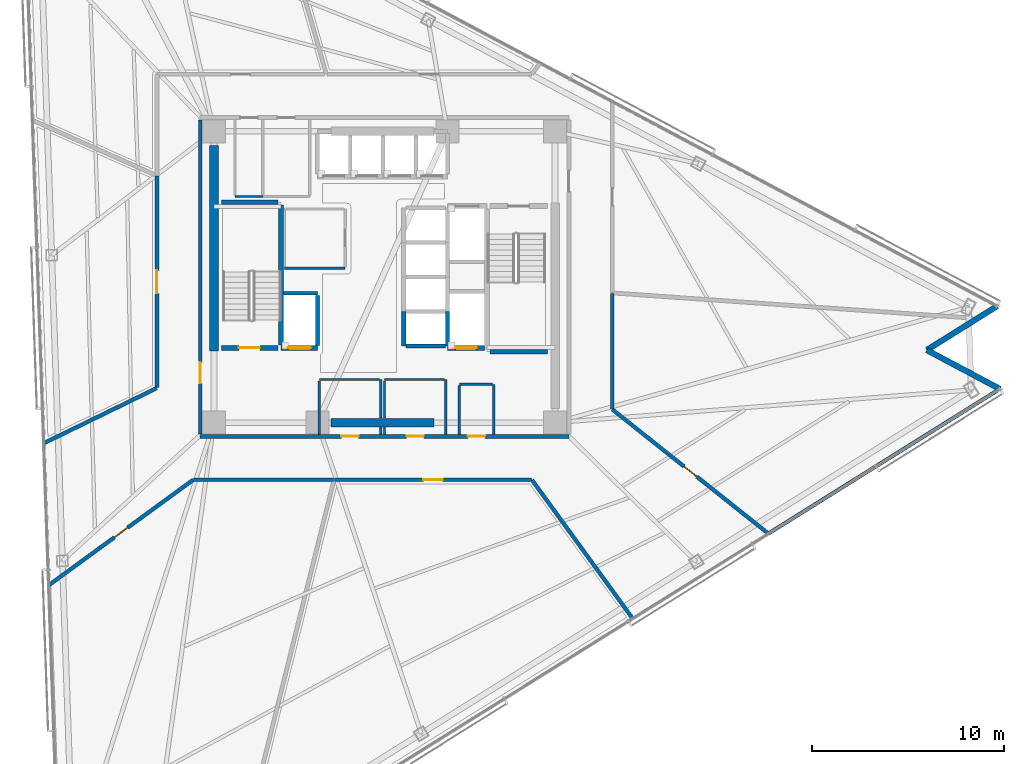
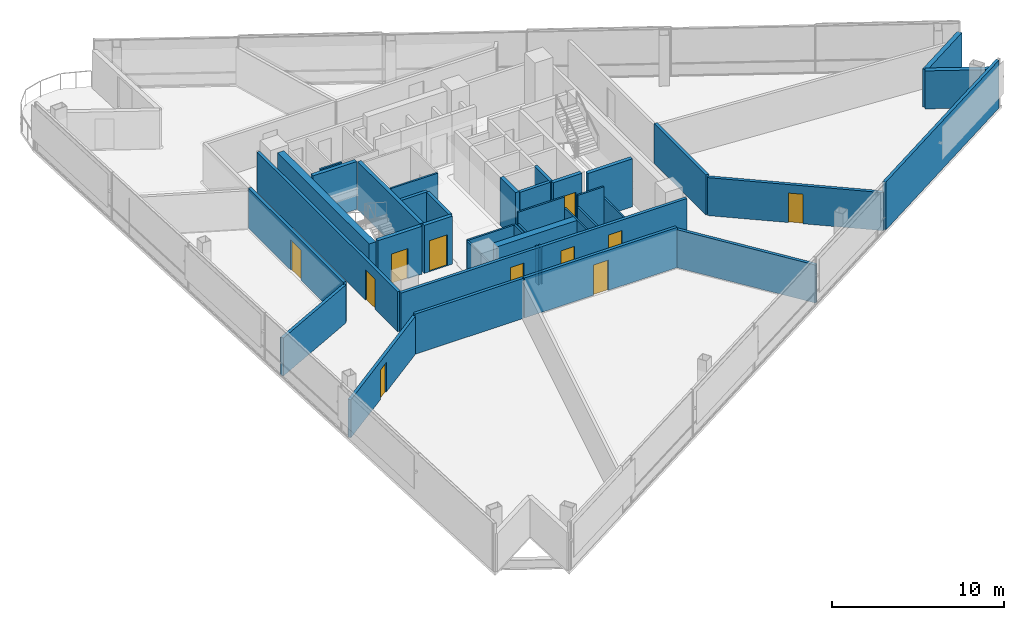
# One storey, part 12 of 21: 39 walls, 11 doors, 11 openings.
"""IFC4 building model written with IfcOpenShell, lengths in metres."""

from ifc_helpers import new_model, si_unit, direction, frame, frame_2d, origin, place, context, subcontext, project, spatial, rectangle, extrude, material, layer, layer_set, type_object, element, fill, save


model = new_model("IFC4")

# Units and contexts
model_context = context("Model", 3, precision=1e-05, world=origin(), true_north=direction((0.0, 1.0)))
body_context = subcontext(model_context, "Body", "Model", "MODEL_VIEW")
ifc_project = project(units=[si_unit("LENGTHUNIT", "METRE"), si_unit("AREAUNIT", "SQUARE_METRE"), si_unit("VOLUMEUNIT", "CUBIC_METRE"), si_unit("PLANEANGLEUNIT", "RADIAN"), si_unit("MASSUNIT", "GRAM", prefix="KILO")], contexts=[model_context])

# Site, building, storey
site_placement = place(None, origin())
site = spatial("IfcSite", under=ifc_project, at=site_placement, CompositionType="ELEMENT")
building_placement = place(site_placement, origin())
building = spatial("IfcBuilding", under=site, at=building_placement, Name="Tharavind Bronze Gate", CompositionType="ELEMENT")
storey_placement = place(building_placement, frame((0.0, 0.0, 142.39990234375)))
storey = spatial("IfcBuildingStorey", under=building, at=storey_placement, Name="L36", CompositionType="ELEMENT", Elevation=142.39990234375)

# Walls
ifc_material_1 = material(Name="Concrete C40/50", Category="concrete")
ifc_layer_1 = layer(ifc_material_1, 0.300048828125)
ifc_layer_set_1 = layer_set([ifc_layer_1], Name="Concrete C40/50")
wall_type_1 = type_object("IfcWallType", Name="EXTERIOR SPANDREL WALL 300", PredefinedType="STANDARD", material=ifc_layer_set_1)
wall_1_placement = place(storey_placement, frame((32.114501953125, -5.83984375, 0.0), z_axis=(0.0, 0.0, 1.0), x_axis=(-0.882945167019, 0.469476125099, 0.0)))
element("IfcWall", 1, at=wall_1_placement, inside=storey, type_object=wall_type_1, Name="L36 notch cheek wall 3A", PredefinedType="STANDARD", context=body_context, shape_type="SweptSolid", body=[
    extrude(rectangle(XDim=4.31982421875, YDim=0.300048828125, at=frame_2d((2.159912109375, 0.0))), origin(), (0.0, 0.0, 1.0), 2.705078125),
])
wall_2_placement = place(storey_placement, frame((28.30029296875, -3.811767578125, 0.0), z_axis=(0.0, 0.0, 1.0), x_axis=(0.848042749904, 0.529927819929, 0.0)))
element("IfcWall", 2, at=wall_2_placement, inside=storey, type_object=wall_type_1, Name="L36 notch cheek wall 3B", PredefinedType="STANDARD", context=body_context, shape_type="SweptSolid", body=[
    extrude(rectangle(XDim=4.320068359375, YDim=0.300048828125, at=frame_2d((2.16015625, 0.0))), origin(), (0.0, 0.0, 1.0), 2.705078125),
])

# Wall, openings, doors
ifc_material_2 = material(Name="Aerated Concrete Block", Category="concrete")
ifc_layer_2 = layer(ifc_material_2, 0.199951171875)
ifc_layer_set_2 = layer_set([ifc_layer_2], Name="Aerated Concrete Block")
wall_type_2 = type_object("IfcWallType", Name="FIRE RATED PARTITION 200", PredefinedType="PARTITIONING", material=ifc_layer_set_2)
wall_3_placement = place(storey_placement, frame((-9.6201171875, -8.320068359375, 0.0), z_axis=(0.0, 0.0, 1.0), x_axis=(1.0, 0.0, 0.0)))
wall_3 = element("IfcWall", 3, at=wall_3_placement, inside=storey, type_object=wall_type_2, Name="L36 south core corridor wall", PredefinedType="PARTITIONING", context=body_context, shape_type="SweptSolid", body=[
    extrude(rectangle(XDim=19.240234375, YDim=0.199951171875, at=frame_2d((9.6201171875, 0.0))), origin(), (0.0, 0.0, 1.0), 2.85498046875),
])
opening_1_placement = place(wall_3_placement, frame((7.3701171875, 0.0, 0.0)))
opening_1 = element("IfcOpeningElement", 4, at=opening_1_placement, cuts=wall_3, Name="Opening ID07", PredefinedType="OPENING", context=body_context, shape_type="SweptSolid", body=[
    extrude(rectangle(XDim=0.89990234375, YDim=2.10009765625, at=frame_2d((0.449951171875, 1.050048828125))), frame((0.0, 0.11009765625, 0.0), z_axis=(0.0, -1.0, 0.0), x_axis=(1.0, 0.0, 0.0)), (0.0, 0.0, 1.0), 0.219951171875),
])
opening_2_placement = place(wall_3_placement, frame((10.77001953125, 0.0, 0.0)))
opening_2 = element("IfcOpeningElement", 5, at=opening_2_placement, cuts=wall_3, Name="Opening ID07", PredefinedType="OPENING", context=body_context, shape_type="SweptSolid", body=[
    extrude(rectangle(XDim=0.89990234375, YDim=2.10009765625, at=frame_2d((0.449951171875, 1.050048828125))), frame((0.0, 0.11009765625, 0.0), z_axis=(0.0, -1.0, 0.0), x_axis=(1.0, 0.0, 0.0)), (0.0, 0.0, 1.0), 0.219951171875),
])
opening_3_placement = place(wall_3_placement, frame((13.969970703125, 0.0, 0.0)))
opening_3 = element("IfcOpeningElement", 6, at=opening_3_placement, cuts=wall_3, Name="Opening ID07", PredefinedType="OPENING", context=body_context, shape_type="SweptSolid", body=[
    extrude(rectangle(XDim=0.89990234375, YDim=2.10009765625, at=frame_2d((0.449951171875, 1.050048828125))), frame((0.0, 0.11009765625, 0.0), z_axis=(0.0, -1.0, 0.0), x_axis=(1.0, 0.0, 0.0)), (0.0, 0.0, 1.0), 0.219951171875),
])
ifc_material_3 = material(Name="Galvanised Fire Steel", Category="steel")
door_type_1 = type_object("IfcDoorType", Name="PLANT AND RISER FIRE DOOR 900X2100", OperationType="SINGLE_SWING_LEFT", PredefinedType="DOOR", material=ifc_material_3)
door_1_placement = place(opening_1_placement, frame((0.89990234375, 0.0, 0.0), z_axis=(0.0, 0.0, 1.0), x_axis=(-1.0, 0.0, 0.0)))
door_1 = element("IfcDoor", 7, at=door_1_placement, inside=storey, type_object=door_type_1, Name="L36 Core Archive Store fire door", OperationType="SINGLE_SWING_LEFT", OverallHeight=2.10009765625, OverallWidth=0.89990234375, PredefinedType="DOOR", context=body_context, shape_type="SweptSolid", body=[
    extrude(rectangle(XDim=0.89990234375, YDim=2.10009765625, at=frame_2d((0.449951171875, 1.050048828125))), frame((0.0, 0.02490234375, 0.0), z_axis=(0.0, -1.0, 0.0), x_axis=(1.0, 0.0, 0.0)), (0.0, 0.0, 1.0), 0.050048828125),
])
fill(opening_1, door_1)
door_2_placement = place(opening_2_placement, frame((0.89990234375, 0.0, 0.0), z_axis=(0.0, 0.0, 1.0), x_axis=(-1.0, 0.0, 0.0)))
door_2 = element("IfcDoor", 8, at=door_2_placement, inside=storey, type_object=door_type_1, Name="L36 Core Server Room fire door", OperationType="SINGLE_SWING_LEFT", OverallHeight=2.10009765625, OverallWidth=0.89990234375, PredefinedType="DOOR", context=body_context, shape_type="SweptSolid", body=[
    extrude(rectangle(XDim=0.89990234375, YDim=2.10009765625, at=frame_2d((0.449951171875, 1.050048828125))), frame((0.0, 0.02490234375, 0.0), z_axis=(0.0, -1.0, 0.0), x_axis=(1.0, 0.0, 0.0)), (0.0, 0.0, 1.0), 0.050048828125),
])
fill(opening_2, door_2)
door_3_placement = place(opening_3_placement, frame((0.89990234375, 0.0, 0.0), z_axis=(0.0, 0.0, 1.0), x_axis=(-1.0, 0.0, 0.0)))
door_3 = element("IfcDoor", 9, at=door_3_placement, inside=storey, type_object=door_type_1, Name="L36 Janitor Store Cupboard fire door", OperationType="SINGLE_SWING_LEFT", OverallHeight=2.10009765625, OverallWidth=0.89990234375, PredefinedType="DOOR", context=body_context, shape_type="SweptSolid", body=[
    extrude(rectangle(XDim=0.89990234375, YDim=2.10009765625, at=frame_2d((0.449951171875, 1.050048828125))), frame((0.0, 0.02490234375, 0.0), z_axis=(0.0, -1.0, 0.0), x_axis=(1.0, 0.0, 0.0)), (0.0, 0.0, 1.0), 0.050048828125),
])
fill(opening_3, door_3)

# Wall, opening, door
wall_4_placement = place(storey_placement, frame((-9.6201171875, 8.199951171875, 0.0), z_axis=(0.0, 0.0, 1.0), x_axis=(0.0, -1.0, 0.0)))
wall_4 = element("IfcWall", 10, at=wall_4_placement, inside=storey, type_object=wall_type_2, Name="L36 west core corridor wall", PredefinedType="PARTITIONING", context=body_context, shape_type="SweptSolid", body=[
    extrude(rectangle(XDim=16.39990234375, YDim=0.199951171875, at=frame_2d((8.199951171875, 0.0))), origin(), (0.0, 0.0, 1.0), 2.85498046875),
])
opening_4_placement = place(wall_4_placement, frame((12.64990234375, 0.0, 0.0)))
opening_4 = element("IfcOpeningElement", 11, at=opening_4_placement, cuts=wall_4, Name="Opening ID01", PredefinedType="OPENING", context=body_context, shape_type="SweptSolid", body=[
    extrude(rectangle(XDim=1.10009765625, YDim=2.14990234375, at=frame_2d((0.550048828125, 1.074951171875))), frame((0.0, 0.11009765625, 0.0), z_axis=(0.0, -1.0, 0.0), x_axis=(1.0, 0.0, 0.0)), (0.0, 0.0, 1.0), 0.219951171875),
])
ifc_material_4 = material(Name="Fire-Rated Steel", Category="steel")
door_type_2 = type_object("IfcDoorType", Name="STAIR CORE FIRE DOOR 1100X2150", OperationType="SINGLE_SWING_LEFT", PredefinedType="DOOR", material=ifc_material_4)
door_4_placement = place(opening_4_placement, frame((1.10009765625, 0.0, 0.0), z_axis=(0.0, 0.0, 1.0), x_axis=(-1.0, 0.0, 0.0)))
door_4 = element("IfcDoor", 12, at=door_4_placement, inside=storey, type_object=door_type_2, Name="L36 south west stair lobby fire door", OperationType="SINGLE_SWING_LEFT", OverallHeight=2.14990234375, OverallWidth=1.10009765625, PredefinedType="DOOR", context=body_context, shape_type="SweptSolid", body=[
    extrude(rectangle(XDim=1.10009765625, YDim=2.14990234375, at=frame_2d((0.550048828125, 1.074951171875))), frame((0.0, 0.02490234375, 0.0), z_axis=(0.0, -1.0, 0.0), x_axis=(1.0, 0.0, 0.0)), (0.0, 0.0, 1.0), 0.050048828125),
])
fill(opening_4, door_4)

wall_5_placement = place(storey_placement, frame((-17.51708984375, -16.080322265625, 0.0), z_axis=(0.0, 0.0, 1.0), x_axis=(0.807836100195, 0.58940718966, 0.0)))
wall_5 = element("IfcWall", 13, at=wall_5_placement, inside=storey, type_object=wall_type_2, Name="L36 Public Restrooms Block partition", PredefinedType="PARTITIONING", context=body_context, shape_type="SweptSolid", body=[
    extrude(rectangle(XDim=9.323974609375, YDim=0.199951171875, at=frame_2d((4.662109375, 0.0))), origin(), (0.0, 0.0, 1.0), 2.705078125),
])
opening_5_placement = place(wall_5_placement, frame((4.237060546875, 0.0, 0.0)))
opening_5 = element("IfcOpeningElement", 14, at=opening_5_placement, cuts=wall_5, Name="Opening ID06", PredefinedType="OPENING", context=body_context, shape_type="SweptSolid", body=[
    extrude(rectangle(XDim=0.85009765625, YDim=2.10009765625, at=frame_2d((0.425048828125, 1.050048828125))), frame((0.0, 0.11009765625, 0.0), z_axis=(0.0, -1.0, 0.0), x_axis=(1.0, 0.0, 0.0)), (0.0, 0.0, 1.0), 0.219951171875),
])
ifc_material_5 = material(Name="Moisture-Resistant Timber", Category="wood")
door_type_3 = type_object("IfcDoorType", Name="BATHROOM PRIVACY DOOR 850X2100", OperationType="SINGLE_SWING_RIGHT", PredefinedType="DOOR", material=ifc_material_5)
door_5_placement = place(opening_5_placement, origin())
door_5 = element("IfcDoor", 15, at=door_5_placement, inside=storey, type_object=door_type_3, Name="L36 Public Restrooms Block door", OperationType="SINGLE_SWING_RIGHT", OverallHeight=2.10009765625, OverallWidth=0.85009765625, PredefinedType="DOOR", context=body_context, shape_type="SweptSolid", body=[
    extrude(rectangle(XDim=0.85009765625, YDim=2.10009765625, at=frame_2d((0.425048828125, 1.050048828125))), frame((0.0, 0.02490234375, 0.0), z_axis=(0.0, -1.0, 0.0), x_axis=(1.0, 0.0, 0.0)), (0.0, 0.0, 1.0), 0.050048828125),
])
fill(opening_5, door_5)

# Wall
wall_6_placement = place(storey_placement, frame((-9.969970703125, -10.580078125, 0.0), z_axis=(0.0, 0.0, 1.0), x_axis=(1.0, 0.0, 0.0)))
element("IfcWall", 16, at=wall_6_placement, inside=storey, type_object=wall_type_2, Name="L36 Public Restrooms Block partition", PredefinedType="PARTITIONING", context=body_context, shape_type="SweptSolid", body=[
    extrude(rectangle(XDim=7.300048828125, YDim=0.199951171875, at=frame_2d((3.64990234375, 0.0))), origin(), (0.0, 0.0, 1.0), 2.85498046875),
])

# Wall, opening, door
wall_7_placement = place(storey_placement, frame((20.030029296875, -13.39111328125, 0.0), z_axis=(0.0, 0.0, 1.0), x_axis=(-0.782379652936, 0.622801797261, 0.0)))
wall_7 = element("IfcWall", 17, at=wall_7_placement, inside=storey, type_object=wall_type_2, Name="L36 Public Restrooms Block partition", PredefinedType="PARTITIONING", context=body_context, shape_type="SweptSolid", body=[
    extrude(rectangle(XDim=10.405029296875, YDim=0.199951171875, at=frame_2d((5.20263671875, 0.0))), origin(), (0.0, 0.0, 1.0), 2.705078125),
])
opening_6_placement = place(wall_7_placement, frame((4.777099609375, 0.0, 0.0)))
opening_6 = element("IfcOpeningElement", 18, at=opening_6_placement, cuts=wall_7, Name="Opening ID06", PredefinedType="OPENING", context=body_context, shape_type="SweptSolid", body=[
    extrude(rectangle(XDim=0.85009765625, YDim=2.10009765625, at=frame_2d((0.425048828125, 1.050048828125))), frame((0.0, 0.11009765625, 0.0), z_axis=(0.0, -1.0, 0.0), x_axis=(1.0, 0.0, 0.0)), (0.0, 0.0, 1.0), 0.219951171875),
])
door_6_placement = place(opening_6_placement, origin())
door_6 = element("IfcDoor", 19, at=door_6_placement, inside=storey, type_object=door_type_3, Name="L36 Public Restrooms Block door", OperationType="SINGLE_SWING_RIGHT", OverallHeight=2.10009765625, OverallWidth=0.85009765625, PredefinedType="DOOR", context=body_context, shape_type="SweptSolid", body=[
    extrude(rectangle(XDim=0.85009765625, YDim=2.10009765625, at=frame_2d((0.425048828125, 1.050048828125))), frame((0.0, 0.02490234375, 0.0), z_axis=(0.0, -1.0, 0.0), x_axis=(1.0, 0.0, 0.0)), (0.0, 0.0, 1.0), 0.050048828125),
])
fill(opening_6, door_6)

# Walls
wall_8_placement = place(storey_placement, frame((11.8798828125, -6.891357421875, 0.0), z_axis=(0.0, 0.0, 1.0), x_axis=(0.0, 1.0, 0.0)))
element("IfcWall", 20, at=wall_8_placement, inside=storey, type_object=wall_type_2, Name="L36 Public Restrooms Block partition", PredefinedType="PARTITIONING", context=body_context, shape_type="SweptSolid", body=[
    extrude(rectangle(XDim=6.033935546875, YDim=0.199951171875, at=frame_2d((3.01708984375, 0.0))), origin(), (0.0, 0.0, 1.0), 2.85498046875),
])
wall_9_placement = place(storey_placement, frame((31.962890625, -5.934814453125, 0.0), z_axis=(0.0, 0.0, 1.0), x_axis=(-0.848057783803, -0.529903760442, 0.0)))
element("IfcWall", 21, at=wall_9_placement, inside=storey, type_object=wall_type_2, Name="L36 Public Restrooms Block partition", PredefinedType="PARTITIONING", context=body_context, shape_type="SweptSolid", body=[
    extrude(rectangle(XDim=14.06494140625, YDim=0.199951171875, at=frame_2d((7.032470703125, 0.0))), origin(), (0.0, 0.0, 1.0), 3.41015625),
])

# Wall, opening, door
wall_10_placement = place(storey_placement, frame((-11.8798828125, 5.273193359375, 0.0), z_axis=(0.0, 0.0, 1.0), x_axis=(0.0, -1.0, 0.0)))
wall_10 = element("IfcWall", 22, at=wall_10_placement, inside=storey, type_object=wall_type_2, Name="L36 Ethics Seminar Room partition", PredefinedType="PARTITIONING", context=body_context, shape_type="SweptSolid", body=[
    extrude(rectangle(XDim=11.0517578125, YDim=0.199951171875, at=frame_2d((5.52587890625, 0.0))), origin(), (0.0, 0.0, 1.0), 2.85498046875),
])
opening_7_placement = place(wall_10_placement, frame((4.926025390625, 0.0, 0.0)))
opening_7 = element("IfcOpeningElement", 23, at=opening_7_placement, cuts=wall_10, Name="Opening ID05", PredefinedType="OPENING", context=body_context, shape_type="SweptSolid", body=[
    extrude(rectangle(XDim=1.199951171875, YDim=2.14990234375, at=frame_2d((0.60009765625, 1.074951171875))), frame((0.0, 0.11009765625, 0.0), z_axis=(0.0, -1.0, 0.0), x_axis=(1.0, 0.0, 0.0)), (0.0, 0.0, 1.0), 0.219951171875),
])
ifc_material_6 = material(Name="Acoustic Laminated Glass", Category="glass")
door_type_4 = type_object("IfcDoorType", Name="MEETING ROOM GLAZED DOOR 1200X2150", OperationType="SINGLE_SWING_LEFT", PredefinedType="DOOR", material=ifc_material_6)
door_7_placement = place(opening_7_placement, origin())
door_7 = element("IfcDoor", 24, at=door_7_placement, inside=storey, type_object=door_type_4, Name="L36 Ethics Seminar Room door", OperationType="SINGLE_SWING_LEFT", OverallHeight=2.14990234375, OverallWidth=1.199951171875, PredefinedType="DOOR", context=body_context, shape_type="SweptSolid", body=[
    extrude(rectangle(XDim=1.199951171875, YDim=2.14990234375, at=frame_2d((0.60009765625, 1.074951171875))), frame((0.0, 0.02490234375, 0.0), z_axis=(0.0, -1.0, 0.0), x_axis=(1.0, 0.0, 0.0)), (0.0, 0.0, 1.0), 0.050048828125),
])
fill(opening_7, door_7)

# Wall
wall_11_placement = place(storey_placement, frame((-11.89404296875, -5.801025390625, 0.0), z_axis=(0.0, 0.0, 1.0), x_axis=(-0.89877884349, -0.438402315796, 0.0)))
element("IfcWall", 25, at=wall_11_placement, inside=storey, type_object=wall_type_2, Name="L36 Ethics Seminar Room partition", PredefinedType="PARTITIONING", context=body_context, shape_type="SweptSolid", body=[
    extrude(rectangle(XDim=6.5439453125, YDim=0.199951171875, at=frame_2d((3.27197265625, 0.0))), origin(), (0.0, 0.0, 1.0), 2.705078125),
])

# Wall, opening, door
wall_12_placement = place(storey_placement, frame((-2.618408203125, -10.580078125, 0.0), z_axis=(0.0, 0.0, 1.0), x_axis=(1.0, 0.0, 0.0)))
wall_12 = element("IfcWall", 26, at=wall_12_placement, inside=storey, type_object=wall_type_2, Name="L36 Clinical Data Office partition", PredefinedType="PARTITIONING", context=body_context, shape_type="SweptSolid", body=[
    extrude(rectangle(XDim=10.29248046875, YDim=0.199951171875, at=frame_2d((5.146240234375, 0.0))), origin(), (0.0, 0.0, 1.0), 2.85498046875),
])
opening_8_placement = place(wall_12_placement, frame((4.64599609375, 0.0, 0.0)))
opening_8 = element("IfcOpeningElement", 27, at=opening_8_placement, cuts=wall_12, Name="Opening ID04", PredefinedType="OPENING", context=body_context, shape_type="SweptSolid", body=[
    extrude(rectangle(XDim=1.0, YDim=2.14990234375, at=frame_2d((0.5, 1.074951171875))), frame((0.0, 0.11009765625, 0.0), z_axis=(0.0, -1.0, 0.0), x_axis=(1.0, 0.0, 0.0)), (0.0, 0.0, 1.0), 0.219951171875),
])
ifc_material_7 = material(Name="Bronze Framed Acoustic Timber", Category="wood")
door_type_5 = type_object("IfcDoorType", Name="OFFICE TENANCY DOOR 1000X2150", OperationType="SINGLE_SWING_RIGHT", PredefinedType="DOOR", material=ifc_material_7)
door_8_placement = place(opening_8_placement, origin())
door_8 = element("IfcDoor", 28, at=door_8_placement, inside=storey, type_object=door_type_5, Name="L36 Clinical Data Office door", OperationType="SINGLE_SWING_RIGHT", OverallHeight=2.14990234375, OverallWidth=1.0, PredefinedType="DOOR", context=body_context, shape_type="SweptSolid", body=[
    extrude(rectangle(XDim=1.0, YDim=2.14990234375, at=frame_2d((0.5, 1.074951171875))), frame((0.0, 0.02490234375, 0.0), z_axis=(0.0, -1.0, 0.0), x_axis=(1.0, 0.0, 0.0)), (0.0, 0.0, 1.0), 0.050048828125),
])
fill(opening_8, door_8)

# Walls
wall_13_placement = place(storey_placement, frame((7.6943359375, -10.59033203125, 0.0), z_axis=(0.0, 0.0, 1.0), x_axis=(0.587773963439, -0.809025196086, 0.0)))
element("IfcWall", 29, at=wall_13_placement, inside=storey, type_object=wall_type_2, Name="L36 Clinical Data Office partition", PredefinedType="PARTITIONING", context=body_context, shape_type="SweptSolid", body=[
    extrude(rectangle(XDim=8.906982421875, YDim=0.199951171875, at=frame_2d((4.45361328125, 0.0))), origin(), (0.0, 0.0, 1.0), 2.705078125),
])
ifc_material_8 = material(Name="Metal Stud Gypsum Partition", Category="gypsum")
ifc_layer_3 = layer(ifc_material_8, 0.1201171875)
ifc_layer_set_3 = layer_set([ifc_layer_3], Name="Metal Stud Gypsum Partition")
wall_type_3 = type_object("IfcWallType", Name="INTERIOR PARTITION WALL 120", PredefinedType="PARTITIONING", material=ifc_layer_set_3)
wall_14_placement = place(storey_placement, frame((-5.219970703125, 0.449951171875, 0.0), z_axis=(0.0, 0.0, 1.0), x_axis=(1.0, 0.0, 0.0)))
element("IfcWall", 30, at=wall_14_placement, inside=storey, type_object=wall_type_3, Name="L36 Electrical & Telecom Store partition 1", PredefinedType="PARTITIONING", context=body_context, shape_type="SweptSolid", body=[
    extrude(rectangle(XDim=3.169921875, YDim=0.1201171875, at=frame_2d((1.5849609375, 0.0))), origin(), (0.0, 0.0, 1.0), 3.41015625),
])
wall_15_placement = place(storey_placement, frame((-0.199951171875, -8.215087890625, 0.0), z_axis=(0.0, 0.0, 1.0), x_axis=(0.0, 1.0, 0.0)))
element("IfcWall", 31, at=wall_15_placement, inside=storey, type_object=wall_type_3, Name="L36 Core Archive Store partition 2", PredefinedType="PARTITIONING", context=body_context, shape_type="SweptSolid", body=[
    extrude(rectangle(XDim=0.385009765625, YDim=0.1201171875, at=frame_2d((0.1923828125, 0.0))), origin(), (0.0, 0.0, 1.0), 2.60498046875),
])
wall_16_placement = place(storey_placement, frame((-0.199951171875, -7.3701171875, 0.0), z_axis=(0.0, 0.0, 1.0), x_axis=(0.0, 1.0, 0.0)))
element("IfcWall", 32, at=wall_16_placement, inside=storey, type_object=wall_type_3, Name="L36 Core Archive Store partition 2", PredefinedType="PARTITIONING", context=body_context, shape_type="SweptSolid", body=[
    extrude(rectangle(XDim=2.02001953125, YDim=0.1201171875, at=frame_2d((1.010009765625, 0.0))), origin(), (0.0, 0.0, 1.0), 2.60498046875),
])
wall_17_placement = place(storey_placement, frame((-0.264892578125, -5.35009765625, 0.0), z_axis=(0.0, 0.0, 1.0), x_axis=(-1.0, 0.0, 0.0)))
element("IfcWall", 33, at=wall_17_placement, inside=storey, type_object=wall_type_3, Name="L36 Core Archive Store partition 3", PredefinedType="PARTITIONING", context=body_context, shape_type="SweptSolid", body=[
    extrude(rectangle(XDim=3.135009765625, YDim=0.1201171875, at=frame_2d((1.5673828125, 0.0))), origin(), (0.0, 0.0, 1.0), 2.60498046875),
])
wall_18_placement = place(storey_placement, frame((-3.39990234375, -5.4150390625, 0.0), z_axis=(0.0, 0.0, 1.0), x_axis=(0.0, -1.0, 0.0)))
element("IfcWall", 34, at=wall_18_placement, inside=storey, type_object=wall_type_3, Name="L36 Core Archive Store partition 4", PredefinedType="PARTITIONING", context=body_context, shape_type="SweptSolid", body=[
    extrude(rectangle(XDim=2.800048828125, YDim=0.1201171875, at=frame_2d((1.39990234375, 0.0))), origin(), (0.0, 0.0, 1.0), 2.60498046875),
])
wall_19_placement = place(storey_placement, frame((3.199951171875, -8.215087890625, 0.0), z_axis=(0.0, 0.0, 1.0), x_axis=(0.0, 1.0, 0.0)))
element("IfcWall", 35, at=wall_19_placement, inside=storey, type_object=wall_type_3, Name="L36 Core Server Room partition 2", PredefinedType="PARTITIONING", context=body_context, shape_type="SweptSolid", body=[
    extrude(rectangle(XDim=2.864990234375, YDim=0.1201171875, at=frame_2d((1.4326171875, 0.0))), origin(), (0.0, 0.0, 1.0), 2.60498046875),
])
wall_20_placement = place(storey_placement, frame((3.135009765625, -5.35009765625, 0.0), z_axis=(0.0, 0.0, 1.0), x_axis=(-1.0, 0.0, 0.0)))
element("IfcWall", 36, at=wall_20_placement, inside=storey, type_object=wall_type_3, Name="L36 Core Server Room partition 3", PredefinedType="PARTITIONING", context=body_context, shape_type="SweptSolid", body=[
    extrude(rectangle(XDim=3.135009765625, YDim=0.1201171875, at=frame_2d((1.5673828125, 0.0))), origin(), (0.0, 0.0, 1.0), 3.41015625),
])
wall_21_placement = place(storey_placement, frame((0.0, -5.4150390625, 0.0), z_axis=(0.0, 0.0, 1.0), x_axis=(0.0, -1.0, 0.0)))
element("IfcWall", 37, at=wall_21_placement, inside=storey, type_object=wall_type_3, Name="L36 Core Server Room partition 4", PredefinedType="PARTITIONING", context=body_context, shape_type="SweptSolid", body=[
    extrude(rectangle(XDim=1.955078125, YDim=0.1201171875, at=frame_2d((0.9775390625, 0.0))), origin(), (0.0, 0.0, 1.0), 2.60498046875),
])
wall_22_placement = place(storey_placement, frame((0.0, -7.830078125, 0.0), z_axis=(0.0, 0.0, 1.0), x_axis=(0.0, -1.0, 0.0)))
element("IfcWall", 38, at=wall_22_placement, inside=storey, type_object=wall_type_3, Name="L36 Core Server Room partition 4", PredefinedType="PARTITIONING", context=body_context, shape_type="SweptSolid", body=[
    extrude(rectangle(XDim=0.385009765625, YDim=0.1201171875, at=frame_2d((0.1923828125, 0.0))), origin(), (0.0, 0.0, 1.0), 2.60498046875),
])
wall_23_placement = place(storey_placement, frame((-7.800048828125, 4.199951171875, 0.0), z_axis=(0.0, 0.0, 1.0), x_axis=(1.0, 0.0, 0.0)))
element("IfcWall", 39, at=wall_23_placement, inside=storey, type_object=wall_type_3, Name="L36 Battery Backup Cupboard partition 1", PredefinedType="PARTITIONING", context=body_context, shape_type="SweptSolid", body=[
    extrude(rectangle(XDim=1.449951171875, YDim=0.1201171875, at=frame_2d((0.72509765625, 0.0))), origin(), (0.0, 0.0, 1.0), 3.41015625),
])
wall_24_placement = place(storey_placement, frame((5.699951171875, -8.215087890625, 0.0), z_axis=(0.0, 0.0, 1.0), x_axis=(0.0, 1.0, 0.0)))
element("IfcWall", 40, at=wall_24_placement, inside=storey, type_object=wall_type_3, Name="L36 Janitor Store Cupboard partition 2", PredefinedType="PARTITIONING", context=body_context, shape_type="SweptSolid", body=[
    extrude(rectangle(XDim=2.614990234375, YDim=0.1201171875, at=frame_2d((1.3076171875, 0.0))), origin(), (0.0, 0.0, 1.0), 2.60498046875),
])
wall_25_placement = place(storey_placement, frame((5.635009765625, -5.60009765625, 0.0), z_axis=(0.0, 0.0, 1.0), x_axis=(-1.0, 0.0, 0.0)))
element("IfcWall", 41, at=wall_25_placement, inside=storey, type_object=wall_type_3, Name="L36 Janitor Store Cupboard partition 3", PredefinedType="PARTITIONING", context=body_context, shape_type="SweptSolid", body=[
    extrude(rectangle(XDim=1.735107421875, YDim=0.1201171875, at=frame_2d((0.86767578125, 0.0))), origin(), (0.0, 0.0, 1.0), 3.41015625),
])
wall_26_placement = place(storey_placement, frame((3.89990234375, -5.6650390625, 0.0), z_axis=(0.0, 0.0, 1.0), x_axis=(0.0, -1.0, 0.0)))
element("IfcWall", 42, at=wall_26_placement, inside=storey, type_object=wall_type_3, Name="L36 Janitor Store Cupboard partition 4", PredefinedType="PARTITIONING", context=body_context, shape_type="SweptSolid", body=[
    extrude(rectangle(XDim=2.550048828125, YDim=0.1201171875, at=frame_2d((1.27490234375, 0.0))), origin(), (0.0, 0.0, 1.0), 2.60498046875),
])
ifc_material_9 = material(Name="Concrete C50/60", Category="concrete")
ifc_layer_4 = layer(ifc_material_9, 0.25)
ifc_layer_set_4 = layer_set([ifc_layer_4], Name="Concrete C50/60")
wall_type_4 = type_object("IfcWallType", Name="RC CORE SHEAR WALL 250", PredefinedType="SHEAR", material=ifc_layer_set_4)
wall_27_placement = place(storey_placement, frame((-5.39990234375, -3.550048828125, 0.0), z_axis=(0.0, 0.0, 1.0), x_axis=(0.0, 1.0, 0.0)))
element("IfcWall", 43, at=wall_27_placement, inside=storey, type_object=wall_type_4, Name="L36 ST1 shaft east wall", PredefinedType="SHEAR", context=body_context, shape_type="SweptSolid", body=[
    extrude(rectangle(XDim=7.300048828125, YDim=0.25, at=frame_2d((3.64990234375, 0.0))), origin(), (0.0, 0.0, 1.0), 3.41015625),
])

# Wall, opening, door
wall_28_placement = place(storey_placement, frame((-8.5, -3.699951171875, 0.0), z_axis=(0.0, 0.0, 1.0), x_axis=(1.0, 0.0, 0.0)))
wall_28 = element("IfcWall", 44, at=wall_28_placement, inside=storey, type_object=wall_type_4, Name="L36 ST1 shaft south wall", PredefinedType="SHEAR", context=body_context, shape_type="SweptSolid", body=[
    extrude(rectangle(XDim=2.949951171875, YDim=0.25, at=frame_2d((1.47509765625, 0.0))), origin(), (0.0, 0.0, 1.0), 3.41015625),
])
opening_9_placement = place(wall_28_placement, frame((0.89990234375, 0.0, 0.0)))
opening_9 = element("IfcOpeningElement", 45, at=opening_9_placement, cuts=wall_28, Name="Opening ID01", PredefinedType="OPENING", context=body_context, shape_type="SweptSolid", body=[
    extrude(rectangle(XDim=1.10009765625, YDim=2.14990234375, at=frame_2d((0.550048828125, 1.074951171875))), frame((0.0, 0.135, 0.0), z_axis=(0.0, -1.0, 0.0), x_axis=(1.0, 0.0, 0.0)), (0.0, 0.0, 1.0), 0.27),
])
door_9_placement = place(opening_9_placement, origin())
door_9 = element("IfcDoor", 46, at=door_9_placement, inside=storey, type_object=door_type_2, Name="L36 exit stair ST1 fire door", OperationType="SINGLE_SWING_LEFT", OverallHeight=2.14990234375, OverallWidth=1.10009765625, PredefinedType="DOOR", context=body_context, shape_type="SweptSolid", body=[
    extrude(rectangle(XDim=1.10009765625, YDim=2.14990234375, at=frame_2d((0.550048828125, 1.074951171875))), frame((0.0, 0.02490234375, 0.0), z_axis=(0.0, -1.0, 0.0), x_axis=(1.0, 0.0, 0.0)), (0.0, 0.0, 1.0), 0.050048828125),
])
fill(opening_9, door_9)

# Walls
wall_29_placement = place(storey_placement, frame((-8.5, 3.89990234375, 0.0), z_axis=(0.0, 0.0, 1.0), x_axis=(1.0, 0.0, 0.0)))
element("IfcWall", 47, at=wall_29_placement, inside=storey, type_object=wall_type_4, Name="L36 ST1 shaft north wall", PredefinedType="SHEAR", context=body_context, shape_type="SweptSolid", body=[
    extrude(rectangle(XDim=2.949951171875, YDim=0.25, at=frame_2d((1.47509765625, 0.0))), origin(), (0.0, 0.0, 1.0), 3.41015625),
])
wall_30_placement = place(storey_placement, frame((5.5, -3.89990234375, 0.0), z_axis=(0.0, 0.0, 1.0), x_axis=(1.0, 0.0, 0.0)))
element("IfcWall", 48, at=wall_30_placement, inside=storey, type_object=wall_type_4, Name="L36 ST2 shaft south wall", PredefinedType="SHEAR", context=body_context, shape_type="SweptSolid", body=[
    extrude(rectangle(XDim=3.0, YDim=0.25, at=frame_2d((1.5, 0.0))), origin(), (0.0, 0.0, 1.0), 3.41015625),
])
wall_31_placement = place(storey_placement, frame((1.0, -3.60009765625, 0.0), z_axis=(0.0, 0.0, 1.0), x_axis=(0.0, 1.0, 0.0)))
element("IfcWall", 49, at=wall_31_placement, inside=storey, type_object=wall_type_4, Name="L36 lift PL9 shaft front wall", PredefinedType="SHEAR", context=body_context, shape_type="SweptSolid", body=[
    extrude(rectangle(XDim=1.800048828125, YDim=0.25, at=frame_2d((0.89990234375, 0.0))), origin(), (0.0, 0.0, 1.0), 3.41015625),
])

# Wall, opening, door
wall_32_placement = place(storey_placement, frame((-5.39990234375, -3.699951171875, 0.0), z_axis=(0.0, 0.0, 1.0), x_axis=(1.0, 0.0, 0.0)))
wall_32 = element("IfcWall", 50, at=wall_32_placement, inside=storey, type_object=wall_type_4, Name="L36 lift FFL1 shaft front wall", PredefinedType="SHEAR", context=body_context, shape_type="SweptSolid", body=[
    extrude(rectangle(XDim=1.89990234375, YDim=0.25, at=frame_2d((0.949951171875, 0.0))), origin(), (0.0, 0.0, 1.0), 3.41015625),
])
opening_10_placement = place(wall_32_placement, frame((0.35009765625, 0.0, 0.0)))
opening_10 = element("IfcOpeningElement", 51, at=opening_10_placement, cuts=wall_32, Name="Opening LD02", PredefinedType="OPENING", context=body_context, shape_type="SweptSolid", body=[
    extrude(rectangle(XDim=1.199951171875, YDim=2.199951171875, at=frame_2d((0.60009765625, 1.10009765625))), frame((0.0, 0.135, 0.0), z_axis=(0.0, -1.0, 0.0), x_axis=(1.0, 0.0, 0.0)), (0.0, 0.0, 1.0), 0.27),
])
ifc_material_10 = material(Name="Brushed Stainless Steel", Category="steel")
door_type_6 = type_object("IfcDoorType", Name="FIREFIGHTING LIFT LANDING DOOR 1200X2200", OperationType="SLIDING_TO_RIGHT", PredefinedType="DOOR", material=ifc_material_10)
door_10_placement = place(opening_10_placement, origin())
door_10 = element("IfcDoor", 52, at=door_10_placement, inside=storey, type_object=door_type_6, Name="L36 lift FFL1 sliding landing door", OperationType="SLIDING_TO_RIGHT", OverallHeight=2.199951171875, OverallWidth=1.199951171875, PredefinedType="DOOR", context=body_context, shape_type="SweptSolid", body=[
    extrude(rectangle(XDim=1.199951171875, YDim=2.199951171875, at=frame_2d((0.60009765625, 1.10009765625))), frame((0.0, 0.02490234375, 0.0), z_axis=(0.0, -1.0, 0.0), x_axis=(1.0, 0.0, 0.0)), (0.0, 0.0, 1.0), 0.050048828125),
])
fill(opening_10, door_10)

wall_33_placement = place(storey_placement, frame((3.280029296875, -3.699951171875, 0.0), z_axis=(0.0, 0.0, 1.0), x_axis=(1.0, 0.0, 0.0)))
wall_33 = element("IfcWall", 53, at=wall_33_placement, inside=storey, type_object=wall_type_4, Name="L36 lift SVL1 shaft front wall", PredefinedType="SHEAR", context=body_context, shape_type="SweptSolid", body=[
    extrude(rectangle(XDim=1.93994140625, YDim=0.25, at=frame_2d((0.969970703125, 0.0))), origin(), (0.0, 0.0, 1.0), 3.41015625),
])
opening_11_placement = place(wall_33_placement, frame((0.419921875, 0.0, 0.0)))
opening_11 = element("IfcOpeningElement", 54, at=opening_11_placement, cuts=wall_33, Name="Opening LD01", PredefinedType="OPENING", context=body_context, shape_type="SweptSolid", body=[
    extrude(rectangle(XDim=1.10009765625, YDim=2.199951171875, at=frame_2d((0.550048828125, 1.10009765625))), frame((0.0, 0.135, 0.0), z_axis=(0.0, -1.0, 0.0), x_axis=(1.0, 0.0, 0.0)), (0.0, 0.0, 1.0), 0.27),
])
ifc_material_11 = material(Name="Brushed Bronze Stainless Steel", Category="steel")
door_type_7 = type_object("IfcDoorType", Name="LIFT LANDING SLIDING DOOR 1100X2200", OperationType="SLIDING_TO_LEFT", PredefinedType="DOOR", material=ifc_material_11)
door_11_placement = place(opening_11_placement, origin())
door_11 = element("IfcDoor", 55, at=door_11_placement, inside=storey, type_object=door_type_7, Name="L36 lift SVL1 sliding landing door", OperationType="SLIDING_TO_LEFT", OverallHeight=2.199951171875, OverallWidth=1.10009765625, PredefinedType="DOOR", context=body_context, shape_type="SweptSolid", body=[
    extrude(rectangle(XDim=1.10009765625, YDim=2.199951171875, at=frame_2d((0.550048828125, 1.10009765625))), frame((0.0, 0.02490234375, 0.0), z_axis=(0.0, -1.0, 0.0), x_axis=(1.0, 0.0, 0.0)), (0.0, 0.0, 1.0), 0.050048828125),
])
fill(opening_11, door_11)

# Walls
ifc_material_12 = material(Name="Concrete C60/75", Category="concrete")
ifc_layer_5 = layer(ifc_material_12, 0.449951171875)
ifc_layer_set_5 = layer_set([ifc_layer_5], Name="Concrete C60/75")
wall_type_5 = type_object("IfcWallType", Name="RC CORE SHEAR WALL 450", PredefinedType="SHEAR", material=ifc_layer_set_5)
wall_34_placement = place(storey_placement, frame((-2.800048828125, -7.60009765625, 0.0), z_axis=(0.0, 0.0, 1.0), x_axis=(1.0, 0.0, 0.0)))
element("IfcWall", 56, at=wall_34_placement, inside=storey, type_object=wall_type_5, Name="L36 south core shear wall", PredefinedType="SHEAR", context=body_context, shape_type="SweptSolid", body=[
    extrude(rectangle(XDim=5.380126953125, YDim=0.449951171875, at=frame_2d((2.68994140625, 0.0))), origin(), (0.0, 0.0, 1.0), 3.41015625),
])
wall_35_placement = place(storey_placement, frame((-8.89990234375, -3.85009765625, 0.0), z_axis=(0.0, 0.0, 1.0), x_axis=(0.0, 1.0, 0.0)))
element("IfcWall", 57, at=wall_35_placement, inside=storey, type_object=wall_type_5, Name="L36 west core shear wall", PredefinedType="SHEAR", context=body_context, shape_type="SweptSolid", body=[
    extrude(rectangle(XDim=10.7001953125, YDim=0.449951171875, at=frame_2d((5.35009765625, 0.0))), origin(), (0.0, 0.0, 1.0), 3.41015625),
])
ifc_layer_6 = layer(ifc_material_1, 0.199951171875)
ifc_layer_set_6 = layer_set([ifc_layer_6], Name="Concrete C40/50")
wall_type_6 = type_object("IfcWallType", Name="SHAFT ENCLOSURE WALL 200", PredefinedType="PARTITIONING", material=ifc_layer_set_6)
wall_36_placement = place(storey_placement, frame((3.280029296875, -3.60009765625, 0.0), z_axis=(0.0, 0.0, 1.0), x_axis=(0.0, 1.0, 0.0)))
element("IfcWall", 58, at=wall_36_placement, inside=storey, type_object=wall_type_6, Name="L36 lift PL9 shaft E enclosure wall", PredefinedType="PARTITIONING", context=body_context, shape_type="SweptSolid", body=[
    extrude(rectangle(XDim=1.800048828125, YDim=0.199951171875, at=frame_2d((0.89990234375, 0.0))), origin(), (0.0, 0.0, 1.0), 3.41015625),
])
wall_37_placement = place(storey_placement, frame((1.1298828125, -3.60009765625, 0.0), z_axis=(0.0, 0.0, 1.0), x_axis=(1.0, 0.0, 0.0)))
element("IfcWall", 59, at=wall_37_placement, inside=storey, type_object=wall_type_6, Name="L36 lift PL9 shaft S enclosure wall", PredefinedType="PARTITIONING", context=body_context, shape_type="SweptSolid", body=[
    extrude(rectangle(XDim=2.045166015625, YDim=0.199951171875, at=frame_2d((1.0224609375, 0.0))), origin(), (0.0, 0.0, 1.0), 3.41015625),
])
wall_38_placement = place(storey_placement, frame((-5.27001953125, -0.85009765625, 0.0), z_axis=(0.0, 0.0, 1.0), x_axis=(1.0, 0.0, 0.0)))
element("IfcWall", 60, at=wall_38_placement, inside=storey, type_object=wall_type_6, Name="L36 lift FFL1 shaft N enclosure wall", PredefinedType="PARTITIONING", context=body_context, shape_type="SweptSolid", body=[
    extrude(rectangle(XDim=1.77001953125, YDim=0.199951171875, at=frame_2d((0.885009765625, 0.0))), origin(), (0.0, 0.0, 1.0), 3.41015625),
])
wall_39_placement = place(storey_placement, frame((-3.5, -3.570068359375, 0.0), z_axis=(0.0, 0.0, 1.0), x_axis=(0.0, 1.0, 0.0)))
element("IfcWall", 61, at=wall_39_placement, inside=storey, type_object=wall_type_6, Name="L36 lift FFL1 shaft E enclosure wall", PredefinedType="PARTITIONING", context=body_context, shape_type="SweptSolid", body=[
    extrude(rectangle(XDim=2.614990234375, YDim=0.199951171875, at=frame_2d((1.3076171875, 0.0))), origin(), (0.0, 0.0, 1.0), 3.41015625),
])

save(model, "model.ifc")
